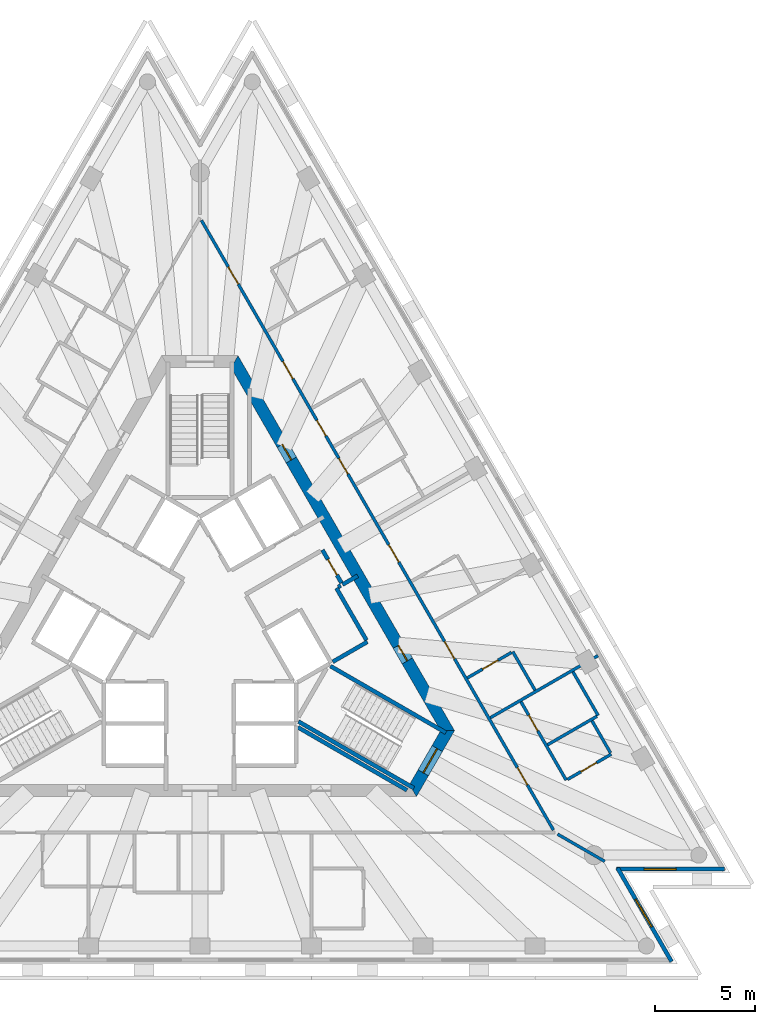
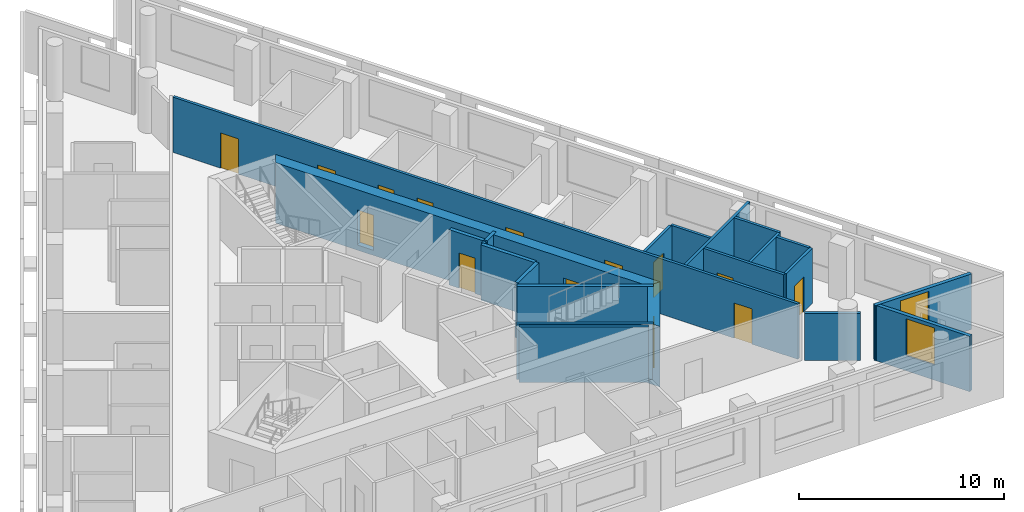
# One storey, part 6 of 10: 22 walls, 14 doors, 2 windows, 16 openings.
"""IFC4 building model written with IfcOpenShell, lengths in metres."""

from ifc_helpers import new_model, si_unit, direction, frame, frame_2d, origin, place, context, subcontext, project, spatial, polyline, rectangle, outline, extrude, material, layer, layer_set, layer_usage, type_object, element, fill, save


model = new_model("IFC4")

# Units and contexts
model_context = context("Model", 3, precision=1e-05, world=origin(), true_north=direction((0.0, 1.0)))
body_context = subcontext(model_context, "Body", "Model", "MODEL_VIEW")
ifc_project = project(units=[si_unit("LENGTHUNIT", "METRE"), si_unit("AREAUNIT", "SQUARE_METRE"), si_unit("VOLUMEUNIT", "CUBIC_METRE"), si_unit("PLANEANGLEUNIT", "RADIAN"), si_unit("MASSUNIT", "GRAM", prefix="KILO")], contexts=[model_context])

# Site, building, storey
site_placement = place(None, origin())
site = spatial("IfcSite", under=ifc_project, at=site_placement, CompositionType="ELEMENT")
building_placement = place(site_placement, origin())
building = spatial("IfcBuilding", under=site, at=building_placement, Name="Triada Interchange Tower", CompositionType="ELEMENT")
storey_placement = place(building_placement, frame((0.0, 0.0, 271.89990234375)))
storey = spatial("IfcBuildingStorey", under=building, at=storey_placement, Name="L63", CompositionType="ELEMENT", Elevation=271.89990234375)

# Wall
ifc_material_1 = material(Name="Concrete C30/37", Category="concrete")
ifc_layer_1 = layer(ifc_material_1, 0.199951171875)
ifc_layer_set_1 = layer_set([ifc_layer_1], Name="CORE WALL 200 EI 120")
wall_type_1 = type_object("IfcWallType", Name="CORE WALL 200 EI 120", PredefinedType="SOLIDWALL", material=ifc_layer_set_1)
wall_1_placement = place(storey_placement, frame((7.12890625, 2.153076171875, 0.0), z_axis=(0.0, 0.0, 1.0), x_axis=(0.866083962871, 0.499898558967, 0.0)))
element("IfcWall", 1, at=wall_1_placement, inside=storey, type_object=wall_type_1, Name="Wall L62 87", PredefinedType="SOLIDWALL", context=body_context, shape_type="SweptSolid", body=[
    extrude(rectangle(XDim=0.880126953125, YDim=0.199951171875, at=frame_2d((0.43994140625, 0.0))), origin(), (0.0, 0.0, 1.0), 3.300048828125),
])

# Wall, opening, door
wall_2_placement = place(storey_placement, frame((6.12890625, 3.885009765625, 0.0), z_axis=(0.0, 0.0, 1.0), x_axis=(0.499952260202, -0.866052964615, 0.0)))
wall_2 = element("IfcWall", 2, at=wall_2_placement, inside=storey, type_object=wall_type_1, Name="Wall L62 88", PredefinedType="SOLIDWALL", context=body_context, shape_type="SweptSolid", body=[
    extrude(rectangle(XDim=1.900634765625, YDim=0.199951171875, at=frame_2d((0.9501953125, 0.0))), origin(), (0.0, 0.0, 1.0), 3.300048828125),
])
opening_1_placement = place(wall_2_placement, frame((0.550048828125, 0.0, 0.0)))
opening_1 = element("IfcOpeningElement", 3, at=opening_1_placement, cuts=wall_2, Name="Opening D62-58", PredefinedType="OPENING", context=body_context, shape_type="SweptSolid", body=[
    extrude(rectangle(XDim=0.89990234375, YDim=2.10009765625, at=frame_2d((0.449951171875, 1.050048828125))), frame((0.0, 0.10986328125, 0.0), z_axis=(0.0, -1.0, 0.0), x_axis=(1.0, 0.0, 0.0)), (0.0, 0.0, 1.0), 0.219970703125),
])
ifc_material_2 = material(Name="Steel S235 door leaf", Category="steel")
door_type_1 = type_object("IfcDoorType", Name="SERVICE DOOR 900 EI2 45-C5S200", OperationType="NOTDEFINED", PredefinedType="DOOR", material=ifc_material_2)
door_1_placement = place(opening_1_placement, origin())
door_1 = element("IfcDoor", 4, at=door_1_placement, inside=storey, type_object=door_type_1, Name="Door D62-58 L63", OperationType="SINGLE_SWING_LEFT", OverallHeight=2.10009765625, OverallWidth=0.89990234375, PredefinedType="DOOR", context=body_context, shape_type="SweptSolid", body=[
    extrude(rectangle(XDim=0.89990234375, YDim=2.10009765625, at=frame_2d((0.449951171875, 1.050048828125))), frame((0.0, 0.02490234375, 0.0), z_axis=(0.0, -1.0, 0.0), x_axis=(1.0, 0.0, 0.0)), (0.0, 0.0, 1.0), 0.050048828125),
])
fill(opening_1, door_1)

# Walls
ifc_layer_2 = layer(ifc_material_1, 0.199951171875)
ifc_layer_set_2 = layer_set([ifc_layer_2], Name="CORE WALL 200 EI 90")
wall_type_2 = type_object("IfcWallType", Name="CORE WALL 200 EI 90", PredefinedType="SOLIDWALL", material=ifc_layer_set_2)
wall_3_placement = place(storey_placement, frame((4.89990234375, -4.97998046875, 0.0), z_axis=(0.0, 0.0, 1.0), x_axis=(0.866074613031, -0.499914757397, 0.0)))
element("IfcWall", 5, at=wall_3_placement, inside=storey, type_object=wall_type_2, Name="Wall L62 108", PredefinedType="SOLIDWALL", context=body_context, shape_type="SweptSolid", body=[
    extrude(rectangle(XDim=6.30078125, YDim=0.199951171875, at=frame_2d((3.150390625, 0.0))), origin(), (0.0, 0.0, 1.0), 3.300048828125),
])
wall_4_placement = place(storey_placement, frame((6.64208984375, -1.7080078125, 0.0), z_axis=(0.0, 0.0, 1.0), x_axis=(0.866043441391, 0.499968756647, 0.0)))
element("IfcWall", 6, at=wall_4_placement, inside=storey, type_object=wall_type_2, Name="Wall L62 109", PredefinedType="SOLIDWALL", context=body_context, shape_type="SweptSolid", body=[
    extrude(rectangle(XDim=2.002197265625, YDim=0.199951171875, at=frame_2d((1.0009765625, 0.0))), origin(), (0.0, 0.0, 1.0), 3.300048828125),
])
wall_5_placement = place(storey_placement, frame((6.825927734375, 1.97802734375, 0.0), z_axis=(0.0, 0.0, 1.0), x_axis=(0.499990139034, -0.866031096941, 0.0)))
element("IfcWall", 7, at=wall_5_placement, inside=storey, type_object=wall_type_2, Name="Wall L62 110", PredefinedType="SOLIDWALL", context=body_context, shape_type="SweptSolid", body=[
    extrude(rectangle(XDim=3.0, YDim=0.199951171875, at=frame_2d((1.5, 0.0))), origin(), (0.0, 0.0, 1.0), 3.300048828125),
])
wall_6_placement = place(storey_placement, frame((6.912109375, 2.028076171875, 0.0), z_axis=(0.0, 0.0, 1.0), x_axis=(0.866559367082, 0.499074005857, 0.0)))
element("IfcWall", 8, at=wall_6_placement, inside=storey, type_object=wall_type_2, Name="Wall L62 111", PredefinedType="SOLIDWALL", context=body_context, shape_type="SweptSolid", body=[
    extrude(rectangle(XDim=0.152099609375, YDim=0.199951171875, at=frame_2d((0.076171875, 0.0))), origin(), (0.0, 0.0, 1.0), 3.300048828125),
])
ifc_layer_3 = layer(ifc_material_1, 0.199951171875)
ifc_layer_set_3 = layer_set([ifc_layer_3], Name="CORE WALL 200 REI 240")
wall_type_3 = type_object("IfcWallType", Name="CORE WALL 200 REI 240", PredefinedType="SOLIDWALL", material=ifc_layer_set_3)
wall_7_placement = place(storey_placement, frame((4.928955078125, -4.693115234375, 0.0), z_axis=(0.0, 0.0, 1.0), x_axis=(0.866005022404, -0.500035299925, 0.0)))
element("IfcWall", 9, at=wall_7_placement, inside=storey, type_object=wall_type_3, Name="Wall L62 118", PredefinedType="SOLIDWALL", context=body_context, shape_type="SweptSolid", body=[
    extrude(rectangle(XDim=6.6650390625, YDim=0.199951171875, at=frame_2d((3.33251953125, 0.0))), origin(), (0.0, 0.0, 1.0), 3.300048828125),
])
wall_8_placement = place(storey_placement, frame((6.529052734375, -1.922119140625, 0.0), z_axis=(0.0, 0.0, 1.0), x_axis=(0.866068467981, -0.499925403204, 0.0)))
element("IfcWall", 10, at=wall_8_placement, inside=storey, type_object=wall_type_3, Name="Wall L62 120", PredefinedType="SOLIDWALL", context=body_context, shape_type="SweptSolid", body=[
    extrude(rectangle(XDim=6.66455078125, YDim=0.199951171875, at=frame_2d((3.332275390625, 0.0))), origin(), (0.0, 0.0, 1.0), 3.300048828125),
])

# Wall, opening, door
ifc_material_3 = material(Name="Concrete C40/50", Category="concrete")
ifc_layer_4 = layer(ifc_material_3, 0.60009765625)
ifc_layer_set_4 = layer_set([ifc_layer_4], Name="Core wall D 600")
wall_type_4 = type_object("IfcWallType", Name="Core wall D 600", PredefinedType="SHEAR", material=ifc_layer_set_4)
wall_9_placement = place(storey_placement, frame((10.652099609375, -8.14990234375, -0.2998046875), z_axis=(0.0, 0.0, 1.0), x_axis=(0.49997462182, 0.866040055388, 0.0)))
wall_9 = element("IfcWall", 11, at=wall_9_placement, inside=storey, type_object=wall_type_4, Name="Core wall WD05 L63", PredefinedType="SHEAR", context=body_context, shape_type="SweptSolid", body=[
    extrude(outline(polyline([(-0.173095703125, -0.300048828125), (1.732421875, -0.300537109375), (3.637939453125, -0.301025390625), (3.291015625, 0.300048828125), (1.73193359375, 0.300048828125), (0.173095703125, 0.300048828125), (-0.173095703125, -0.300048828125)])), origin(), (0.0, 0.0, 1.0), 3.599853515625),
])
opening_2_placement = place(wall_9_placement, frame((1.031982421875, 0.0, 0.300048828125)))
opening_2 = element("IfcOpeningElement", 12, at=opening_2_placement, cuts=wall_9, Name="Opening D62-50", PredefinedType="OPENING", context=body_context, shape_type="SweptSolid", body=[
    extrude(rectangle(XDim=1.39990234375, YDim=2.10009765625, at=frame_2d((0.699951171875, 1.050048828125))), frame((0.0, 0.31005859375, 0.0), z_axis=(0.0, -1.0, 0.0), x_axis=(1.0, 0.0, 0.0)), (0.0, 0.0, 1.0), 0.62109375),
])
door_type_2 = type_object("IfcDoorType", Name="STAIR DOOR 1400 EI2 90-C5S200", OperationType="DOUBLE_DOOR_SINGLE_SWING", PredefinedType="DOOR", material=ifc_material_2)
door_2_placement = place(opening_2_placement, origin())
door_2 = element("IfcDoor", 13, at=door_2_placement, inside=storey, type_object=door_type_2, Name="Door D62-50 L63", OperationType="DOUBLE_DOOR_SINGLE_SWING", OverallHeight=2.10009765625, OverallWidth=1.39990234375, PredefinedType="DOOR", context=body_context, shape_type="SweptSolid", body=[
    extrude(rectangle(XDim=1.39990234375, YDim=2.10009765625, at=frame_2d((0.699951171875, 1.050048828125))), frame((0.0, 0.02490234375, 0.0), z_axis=(0.0, -1.0, 0.0), x_axis=(1.0, 0.0, 0.0)), (0.0, 0.0, 1.0), 0.050048828125),
])
fill(opening_2, door_2)

# Wall, openings, doors
wall_10_placement = place(storey_placement, frame((12.384033203125, -5.14990234375, -0.2998046875), z_axis=(0.0, 0.0, 1.0), x_axis=(-0.500000539815, 0.866025092122, 0.0)))
wall_10 = element("IfcWall", 14, at=wall_10_placement, inside=storey, type_object=wall_type_4, Name="Core wall WD06 L63", PredefinedType="SHEAR", context=body_context, shape_type="SweptSolid", body=[
    extrude(outline(polyline([(-0.173095703125, -0.301025390625), (1.795166015625, -0.301025390625), (3.76318359375, -0.30078125), (5.7314453125, -0.30078125), (7.69970703125, -0.30078125), (9.66796875, -0.300537109375), (11.635986328125, -0.300537109375), (13.604248046875, -0.30029296875), (15.572509765625, -0.30029296875), (17.540771484375, -0.30029296875), (19.5087890625, -0.300048828125), (21.47705078125, -0.300048828125), (21.131103515625, 0.300048828125), (19.225830078125, 0.300048828125), (17.320556640625, 0.300048828125), (15.415283203125, 0.300048828125), (13.510009765625, 0.300048828125), (11.604736328125, 0.300048828125), (9.699462890625, 0.300048828125), (7.794189453125, 0.300048828125), (5.888916015625, 0.300048828125), (3.983642578125, 0.300048828125), (2.078369140625, 0.300048828125), (0.173095703125, 0.300048828125), (-0.173095703125, -0.301025390625)])), origin(), (0.0, 0.0, 1.0), 3.599853515625),
])
opening_3_placement = place(wall_10_placement, frame((15.626953125, 0.0, 0.300048828125)))
opening_3 = element("IfcOpeningElement", 15, at=opening_3_placement, cuts=wall_10, Name="Opening D62-55", PredefinedType="OPENING", context=body_context, shape_type="SweptSolid", body=[
    extrude(rectangle(XDim=0.89990234375, YDim=2.10009765625, at=frame_2d((0.449951171875, 1.050048828125))), frame((0.0, 0.31005859375, 0.0), z_axis=(0.0, -1.0, 0.0), x_axis=(1.0, 0.0, 0.0)), (0.0, 0.0, 1.0), 0.62109375),
])
opening_4_placement = place(wall_10_placement, frame((4.02587890625, 0.0, 0.300048828125)))
opening_4 = element("IfcOpeningElement", 16, at=opening_4_placement, cuts=wall_10, Name="Opening D62-57", PredefinedType="OPENING", context=body_context, shape_type="SweptSolid", body=[
    extrude(rectangle(XDim=0.89990234375, YDim=2.10009765625, at=frame_2d((0.449951171875, 1.050048828125))), frame((0.0, 0.31005859375, 0.0), z_axis=(0.0, -1.0, 0.0), x_axis=(1.0, 0.0, 0.0)), (0.0, 0.0, 1.0), 0.62109375),
])
door_type_3 = type_object("IfcDoorType", Name="RISER ACCESS DOOR 900 EI2 45-C5S200", OperationType="NOTDEFINED", PredefinedType="DOOR", material=ifc_material_2)
door_3_placement = place(opening_3_placement, origin())
door_3 = element("IfcDoor", 17, at=door_3_placement, inside=storey, type_object=door_type_3, Name="Door D62-55 L63", OperationType="SINGLE_SWING_RIGHT", OverallHeight=2.10009765625, OverallWidth=0.89990234375, PredefinedType="DOOR", context=body_context, shape_type="SweptSolid", body=[
    extrude(rectangle(XDim=0.89990234375, YDim=2.10009765625, at=frame_2d((0.449951171875, 1.050048828125))), frame((0.0, 0.02490234375, 0.0), z_axis=(0.0, -1.0, 0.0), x_axis=(1.0, 0.0, 0.0)), (0.0, 0.0, 1.0), 0.050048828125),
])
fill(opening_3, door_3)
door_4_placement = place(opening_4_placement, origin())
door_4 = element("IfcDoor", 18, at=door_4_placement, inside=storey, type_object=door_type_1, Name="Door D62-57 L63", OperationType="SINGLE_SWING_RIGHT", OverallHeight=2.10009765625, OverallWidth=0.89990234375, PredefinedType="DOOR", context=body_context, shape_type="SweptSolid", body=[
    extrude(rectangle(XDim=0.89990234375, YDim=2.10009765625, at=frame_2d((0.449951171875, 1.050048828125))), frame((0.0, 0.02490234375, 0.0), z_axis=(0.0, -1.0, 0.0), x_axis=(1.0, 0.0, 0.0)), (0.0, 0.0, 1.0), 0.050048828125),
])
fill(opening_4, door_4)

# Wall, opening, window
ifc_material_4 = material(Name="Cement board")
ifc_layer_5 = layer(ifc_material_4, 0.02001953125, Name="Cement board cladding")
ifc_material_5 = material(Name="Sheathing board")
ifc_layer_6 = layer(ifc_material_5, 0.014892578125, Name="Sheathing board")
ifc_material_6 = material(Name="Mineral wool")
ifc_layer_7 = layer(ifc_material_6, 0.14990234375, Name="Mineral wool between steel studs")
ifc_material_7 = material(Name="Gypsum board")
ifc_layer_8 = layer(ifc_material_7, 0.014892578125, Name="Plasterboard lining")
ifc_layer_set_5 = layer_set([ifc_layer_5, ifc_layer_6, ifc_layer_7, ifc_layer_8], Name="External wall 200")
ifc_layer_usage = layer_usage(ifc_layer_set_5, "AXIS2", "POSITIVE", -0.10009765625)
wall_type_5 = type_object("IfcWallType", Name="External wall 200", PredefinedType="ELEMENTEDWALL", material=ifc_layer_set_5)
wall_11_placement = place(storey_placement, frame((23.583984375, -16.695068359375, 0.0), z_axis=(0.0, 0.0, 1.0), x_axis=(-0.499972735707, 0.866041144259, 0.0)))
wall_11 = element("IfcWall", 19, at=wall_11_placement, inside=storey, type_object=wall_type_5, material=ifc_layer_usage, Name="External wall L63 SE-1", PredefinedType="ELEMENTEDWALL", context=body_context, shape_type="SweptSolid", body=[
    extrude(rectangle(XDim=5.404052734375, YDim=0.199951171875, at=frame_2d((2.7021484375, 0.0))), origin(), (0.0, 0.0, 1.0), 3.300048828125),
])
opening_5_placement = place(wall_11_placement, frame((1.989990234375, 0.0, 0.89990234375)))
opening_5 = element("IfcOpeningElement", 20, at=opening_5_placement, cuts=wall_11, Name="Opening WD19", PredefinedType="OPENING", context=body_context, shape_type="SweptSolid", body=[
    extrude(rectangle(XDim=1.60009765625, YDim=2.199951171875, at=frame_2d((0.800048828125, 1.10009765625))), frame((0.0, 0.10986328125, 0.0), z_axis=(0.0, -1.0, 0.0), x_axis=(1.0, 0.0, 0.0)), (0.0, 0.0, 1.0), 0.219970703125),
])
ifc_material_8 = material(Name="Double glazed aluminium window", Category="aluminium")
window_type = type_object("IfcWindowType", Name="Ribbon window D pocket", PartitioningType="SINGLE_PANEL", PredefinedType="WINDOW", material=ifc_material_8)
window_1_placement = place(opening_5_placement, origin())
window_1 = element("IfcWindow", 21, at=window_1_placement, inside=storey, type_object=window_type, Name="Window L63 SE-1 1", OverallHeight=2.199951171875, OverallWidth=1.60009765625, PartitioningType="SINGLE_PANEL", PredefinedType="WINDOW", context=body_context, shape_type="SweptSolid", body=[
    extrude(rectangle(XDim=1.60009765625, YDim=2.199951171875, at=frame_2d((0.800048828125, 1.10009765625))), frame((0.0, 0.030029296875, 0.0), z_axis=(0.0, -1.0, 0.0), x_axis=(1.0, 0.0, 0.0)), (0.0, 0.0, 1.0), 0.06005859375),
])
fill(opening_5, window_1)

wall_12_placement = place(storey_placement, frame((20.826904296875, -12.075927734375, 0.0), z_axis=(0.0, 0.0, 1.0), x_axis=(1.0, 0.0, 0.0)))
wall_12 = element("IfcWall", 22, at=wall_12_placement, inside=storey, type_object=wall_type_5, material=ifc_layer_usage, Name="External wall L63 SE-2", PredefinedType="ELEMENTEDWALL", context=body_context, shape_type="SweptSolid", body=[
    extrude(rectangle(XDim=5.403076171875, YDim=0.199951171875, at=frame_2d((2.70166015625, 0.0))), origin(), (0.0, 0.0, 1.0), 3.300048828125),
])
opening_6_placement = place(wall_12_placement, frame((1.389892578125, 0.0, 0.89990234375)))
opening_6 = element("IfcOpeningElement", 23, at=opening_6_placement, cuts=wall_12, Name="Opening WD20", PredefinedType="OPENING", context=body_context, shape_type="SweptSolid", body=[
    extrude(rectangle(XDim=1.60009765625, YDim=2.199951171875, at=frame_2d((0.800048828125, 1.10009765625))), frame((0.0, 0.10986328125, 0.0), z_axis=(0.0, -1.0, 0.0), x_axis=(1.0, 0.0, 0.0)), (0.0, 0.0, 1.0), 0.219970703125),
])
window_2_placement = place(opening_6_placement, origin())
window_2 = element("IfcWindow", 24, at=window_2_placement, inside=storey, type_object=window_type, Name="Window L63 SE-2 1", OverallHeight=2.199951171875, OverallWidth=1.60009765625, PartitioningType="SINGLE_PANEL", PredefinedType="WINDOW", context=body_context, shape_type="SweptSolid", body=[
    extrude(rectangle(XDim=1.60009765625, YDim=2.199951171875, at=frame_2d((0.800048828125, 1.10009765625))), frame((0.0, 0.030029296875, 0.0), z_axis=(0.0, -1.0, 0.0), x_axis=(1.0, 0.0, 0.0)), (0.0, 0.0, 1.0), 0.06005859375),
])
fill(opening_6, window_2)

# Wall
ifc_material_9 = material(Name="Gypsum board partition")
ifc_layer_9 = layer(ifc_material_9, 0.14990234375)
ifc_layer_set_6 = layer_set([ifc_layer_9], Name="PARTITION 150 EI 180")
wall_type_6 = type_object("IfcWallType", Name="PARTITION 150 EI 180", PredefinedType="PARTITIONING", material=ifc_layer_set_6)
wall_13_placement = place(storey_placement, frame((17.883056640625, -10.323974609375, 0.0), z_axis=(0.0, 0.0, 1.0), x_axis=(0.865910811146, -0.500198427768, 0.0)))
element("IfcWall", 25, at=wall_13_placement, inside=storey, type_object=wall_type_6, Name="Wall L62 8", PredefinedType="PARTITIONING", context=body_context, shape_type="SweptSolid", body=[
    extrude(rectangle(XDim=2.72314453125, YDim=0.14990234375, at=frame_2d((1.361572265625, 0.0))), origin(), (0.0, 0.0, 1.0), 2.800048828125),
])

# Wall, openings, doors
wall_14_placement = place(storey_placement, frame((0.074951171875, 20.3701171875, 0.0), z_axis=(0.0, 0.0, 1.0), x_axis=(0.499988971979, -0.866031770721, 0.0)))
wall_14 = element("IfcWall", 26, at=wall_14_placement, inside=storey, type_object=wall_type_6, Name="Wall L62 22", PredefinedType="PARTITIONING", context=body_context, shape_type="SweptSolid", body=[
    extrude(rectangle(XDim=35.206787109375, YDim=0.14990234375, at=frame_2d((17.603515625, 0.0))), origin(), (0.0, 0.0, 1.0), 3.300048828125),
])
opening_7_placement = place(wall_14_placement, frame((31.60595703125, 0.0, 0.0)))
opening_7 = element("IfcOpeningElement", 27, at=opening_7_placement, cuts=wall_14, Name="Opening D62-21", PredefinedType="OPENING", context=body_context, shape_type="SweptSolid", body=[
    extrude(rectangle(XDim=1.0, YDim=2.10009765625, at=frame_2d((0.5, 1.050048828125))), frame((0.0, 0.0849609375, 0.0), z_axis=(0.0, -1.0, 0.0), x_axis=(1.0, 0.0, 0.0)), (0.0, 0.0, 1.0), 0.169921875),
])
opening_8_placement = place(wall_14_placement, frame((24.31591796875, 0.0, 0.0)))
opening_8 = element("IfcOpeningElement", 28, at=opening_8_placement, cuts=wall_14, Name="Opening D62-24", PredefinedType="OPENING", context=body_context, shape_type="SweptSolid", body=[
    extrude(rectangle(XDim=1.0, YDim=2.10009765625, at=frame_2d((0.5, 1.050048828125))), frame((0.0, 0.0849609375, 0.0), z_axis=(0.0, -1.0, 0.0), x_axis=(1.0, 0.0, 0.0)), (0.0, 0.0, 1.0), 0.169921875),
])
opening_9_placement = place(wall_14_placement, frame((18.735107421875, 0.0, 0.0)))
opening_9 = element("IfcOpeningElement", 29, at=opening_9_placement, cuts=wall_14, Name="Opening D62-26", PredefinedType="OPENING", context=body_context, shape_type="SweptSolid", body=[
    extrude(rectangle(XDim=1.0, YDim=2.10009765625, at=frame_2d((0.5, 1.050048828125))), frame((0.0, 0.0849609375, 0.0), z_axis=(0.0, -1.0, 0.0), x_axis=(1.0, 0.0, 0.0)), (0.0, 0.0, 1.0), 0.169921875),
])
opening_10_placement = place(wall_14_placement, frame((8.154052734375, 0.0, 0.0)))
opening_10 = element("IfcOpeningElement", 30, at=opening_10_placement, cuts=wall_14, Name="Opening D62-28", PredefinedType="OPENING", context=body_context, shape_type="SweptSolid", body=[
    extrude(rectangle(XDim=1.0, YDim=2.10009765625, at=frame_2d((0.5, 1.050048828125))), frame((0.0, 0.0849609375, 0.0), z_axis=(0.0, -1.0, 0.0), x_axis=(1.0, 0.0, 0.0)), (0.0, 0.0, 1.0), 0.169921875),
])
opening_11_placement = place(wall_14_placement, frame((13.75390625, 0.0, 0.0)))
opening_11 = element("IfcOpeningElement", 31, at=opening_11_placement, cuts=wall_14, Name="Opening D62-30", PredefinedType="OPENING", context=body_context, shape_type="SweptSolid", body=[
    extrude(rectangle(XDim=0.89990234375, YDim=2.10009765625, at=frame_2d((0.449951171875, 1.050048828125))), frame((0.0, 0.0849609375, 0.0), z_axis=(0.0, -1.0, 0.0), x_axis=(1.0, 0.0, 0.0)), (0.0, 0.0, 1.0), 0.169921875),
])
opening_12_placement = place(wall_14_placement, frame((11.553955078125, 0.0, 0.0)))
opening_12 = element("IfcOpeningElement", 32, at=opening_12_placement, cuts=wall_14, Name="Opening D62-31", PredefinedType="OPENING", context=body_context, shape_type="SweptSolid", body=[
    extrude(rectangle(XDim=0.89990234375, YDim=2.10009765625, at=frame_2d((0.449951171875, 1.050048828125))), frame((0.0, 0.0849609375, 0.0), z_axis=(0.0, -1.0, 0.0), x_axis=(1.0, 0.0, 0.0)), (0.0, 0.0, 1.0), 0.169921875),
])
opening_13_placement = place(wall_14_placement, frame((2.68994140625, 0.0, 0.0)))
opening_13 = element("IfcOpeningElement", 33, at=opening_13_placement, cuts=wall_14, Name="Opening D62-32", PredefinedType="OPENING", context=body_context, shape_type="SweptSolid", body=[
    extrude(rectangle(XDim=1.0, YDim=2.10009765625, at=frame_2d((0.5, 1.050048828125))), frame((0.0, 0.0849609375, 0.0), z_axis=(0.0, -1.0, 0.0), x_axis=(1.0, 0.0, 0.0)), (0.0, 0.0, 1.0), 0.169921875),
])
door_type_4 = type_object("IfcDoorType", Name="GUEST ROOM DOOR 1000 EI2 90-C5S200", OperationType="NOTDEFINED", PredefinedType="DOOR", material=ifc_material_2)
door_5_placement = place(opening_7_placement, origin())
door_5 = element("IfcDoor", 34, at=door_5_placement, inside=storey, type_object=door_type_4, Name="Door D62-21 L63", OperationType="SINGLE_SWING_RIGHT", OverallHeight=2.10009765625, OverallWidth=1.0, PredefinedType="DOOR", context=body_context, shape_type="SweptSolid", body=[
    extrude(rectangle(XDim=1.0, YDim=2.10009765625, at=frame_2d((0.5, 1.050048828125))), frame((0.0, 0.02490234375, 0.0), z_axis=(0.0, -1.0, 0.0), x_axis=(1.0, 0.0, 0.0)), (0.0, 0.0, 1.0), 0.050048828125),
])
fill(opening_7, door_5)
door_6_placement = place(opening_8_placement, origin())
door_6 = element("IfcDoor", 35, at=door_6_placement, inside=storey, type_object=door_type_4, Name="Door D62-24 L63", OperationType="SINGLE_SWING_RIGHT", OverallHeight=2.10009765625, OverallWidth=1.0, PredefinedType="DOOR", context=body_context, shape_type="SweptSolid", body=[
    extrude(rectangle(XDim=1.0, YDim=2.10009765625, at=frame_2d((0.5, 1.050048828125))), frame((0.0, 0.02490234375, 0.0), z_axis=(0.0, -1.0, 0.0), x_axis=(1.0, 0.0, 0.0)), (0.0, 0.0, 1.0), 0.050048828125),
])
fill(opening_8, door_6)
door_7_placement = place(opening_9_placement, origin())
door_7 = element("IfcDoor", 36, at=door_7_placement, inside=storey, type_object=door_type_4, Name="Door D62-26 L63", OperationType="SINGLE_SWING_RIGHT", OverallHeight=2.10009765625, OverallWidth=1.0, PredefinedType="DOOR", context=body_context, shape_type="SweptSolid", body=[
    extrude(rectangle(XDim=1.0, YDim=2.10009765625, at=frame_2d((0.5, 1.050048828125))), frame((0.0, 0.02490234375, 0.0), z_axis=(0.0, -1.0, 0.0), x_axis=(1.0, 0.0, 0.0)), (0.0, 0.0, 1.0), 0.050048828125),
])
fill(opening_9, door_7)
door_8_placement = place(opening_10_placement, origin())
door_8 = element("IfcDoor", 37, at=door_8_placement, inside=storey, type_object=door_type_4, Name="Door D62-28 L63", OperationType="SINGLE_SWING_RIGHT", OverallHeight=2.10009765625, OverallWidth=1.0, PredefinedType="DOOR", context=body_context, shape_type="SweptSolid", body=[
    extrude(rectangle(XDim=1.0, YDim=2.10009765625, at=frame_2d((0.5, 1.050048828125))), frame((0.0, 0.02490234375, 0.0), z_axis=(0.0, -1.0, 0.0), x_axis=(1.0, 0.0, 0.0)), (0.0, 0.0, 1.0), 0.050048828125),
])
fill(opening_10, door_8)
door_9_placement = place(opening_13_placement, origin())
door_9 = element("IfcDoor", 38, at=door_9_placement, inside=storey, type_object=door_type_4, Name="Door D62-32 L63", OperationType="SINGLE_SWING_LEFT", OverallHeight=2.10009765625, OverallWidth=1.0, PredefinedType="DOOR", context=body_context, shape_type="SweptSolid", body=[
    extrude(rectangle(XDim=1.0, YDim=2.10009765625, at=frame_2d((0.5, 1.050048828125))), frame((0.0, 0.02490234375, 0.0), z_axis=(0.0, -1.0, 0.0), x_axis=(1.0, 0.0, 0.0)), (0.0, 0.0, 1.0), 0.050048828125),
])
fill(opening_13, door_9)
door_type_5 = type_object("IfcDoorType", Name="ROOM DOOR 900 EI2 90-C5S200", OperationType="NOTDEFINED", PredefinedType="DOOR", material=ifc_material_2)
door_10_placement = place(opening_12_placement, origin())
door_10 = element("IfcDoor", 39, at=door_10_placement, inside=storey, type_object=door_type_5, Name="Door D62-31 L63", OperationType="SINGLE_SWING_LEFT", OverallHeight=2.10009765625, OverallWidth=0.89990234375, PredefinedType="DOOR", context=body_context, shape_type="SweptSolid", body=[
    extrude(rectangle(XDim=0.89990234375, YDim=2.10009765625, at=frame_2d((0.449951171875, 1.050048828125))), frame((0.0, 0.02490234375, 0.0), z_axis=(0.0, -1.0, 0.0), x_axis=(1.0, 0.0, 0.0)), (0.0, 0.0, 1.0), 0.050048828125),
])
fill(opening_12, door_10)
door_type_6 = type_object("IfcDoorType", Name="SERVICE DOOR 900 EI2 90-C5S200", OperationType="NOTDEFINED", PredefinedType="DOOR", material=ifc_material_2)
door_11_placement = place(opening_11_placement, origin())
door_11 = element("IfcDoor", 40, at=door_11_placement, inside=storey, type_object=door_type_6, Name="Door D62-30 L63", OperationType="SINGLE_SWING_RIGHT", OverallHeight=2.10009765625, OverallWidth=0.89990234375, PredefinedType="DOOR", context=body_context, shape_type="SweptSolid", body=[
    extrude(rectangle(XDim=0.89990234375, YDim=2.10009765625, at=frame_2d((0.449951171875, 1.050048828125))), frame((0.0, 0.02490234375, 0.0), z_axis=(0.0, -1.0, 0.0), x_axis=(1.0, 0.0, 0.0)), (0.0, 0.0, 1.0), 0.050048828125),
])
fill(opening_11, door_11)

# Walls
wall_15_placement = place(storey_placement, frame((14.52294921875, -4.5048828125, 0.0), z_axis=(0.0, 0.0, 1.0), x_axis=(0.866043575568, 0.499968524226, 0.0)))
element("IfcWall", 41, at=wall_15_placement, inside=storey, type_object=wall_type_6, Name="Wall L62 30", PredefinedType="PARTITIONING", context=body_context, shape_type="SweptSolid", body=[
    extrude(rectangle(XDim=6.21240234375, YDim=0.14990234375, at=frame_2d((3.106201171875, 0.0))), origin(), (0.0, 0.0, 1.0), 3.300048828125),
])
ifc_layer_10 = layer(ifc_material_9, 0.14990234375)
ifc_layer_set_7 = layer_set([ifc_layer_10], Name="PARTITION 150 EI 90")
wall_type_7 = type_object("IfcWallType", Name="PARTITION 150 EI 90", PredefinedType="PARTITIONING", material=ifc_layer_set_7)
wall_16_placement = place(storey_placement, frame((18.653076171875, -2.20703125, 0.0), z_axis=(0.0, 0.0, 1.0), x_axis=(0.499789415832, -0.866146950478, 0.0)))
element("IfcWall", 42, at=wall_16_placement, inside=storey, type_object=wall_type_7, Name="Wall L62 53", PredefinedType="PARTITIONING", context=body_context, shape_type="SweptSolid", body=[
    extrude(rectangle(XDim=2.52490234375, YDim=0.14990234375, at=frame_2d((1.262451171875, 0.0))), origin(), (0.0, 0.0, 1.0), 3.300048828125),
])

# Wall, opening, door
wall_17_placement = place(storey_placement, frame((16.054931640625, -3.70703125, 0.0), z_axis=(0.0, 0.0, 1.0), x_axis=(0.499893710643, -0.866086761277, 0.0)))
wall_17 = element("IfcWall", 43, at=wall_17_placement, inside=storey, type_object=wall_type_7, Name="Wall L62 56", PredefinedType="PARTITIONING", context=body_context, shape_type="SweptSolid", body=[
    extrude(rectangle(XDim=4.52490234375, YDim=0.14990234375, at=frame_2d((2.262451171875, 0.0))), origin(), (0.0, 0.0, 1.0), 3.300048828125),
])
opening_14_placement = place(wall_17_placement, frame((0.77490234375, 0.0, 0.0)))
opening_14 = element("IfcOpeningElement", 44, at=opening_14_placement, cuts=wall_17, Name="Opening D62-22", PredefinedType="OPENING", context=body_context, shape_type="SweptSolid", body=[
    extrude(rectangle(XDim=0.89990234375, YDim=2.10009765625, at=frame_2d((0.449951171875, 1.050048828125))), frame((0.0, 0.0849609375, 0.0), z_axis=(0.0, -1.0, 0.0), x_axis=(1.0, 0.0, 0.0)), (0.0, 0.0, 1.0), 0.169921875),
])
door_type_7 = type_object("IfcDoorType", Name="ROOM DOOR 900 EI2 45-C5S200", OperationType="NOTDEFINED", PredefinedType="DOOR", material=ifc_material_2)
door_12_placement = place(opening_14_placement, origin())
door_12 = element("IfcDoor", 45, at=door_12_placement, inside=storey, type_object=door_type_7, Name="Door D62-22 L63", OperationType="SINGLE_SWING_LEFT", OverallHeight=2.10009765625, OverallWidth=0.89990234375, PredefinedType="DOOR", context=body_context, shape_type="SweptSolid", body=[
    extrude(rectangle(XDim=0.89990234375, YDim=2.10009765625, at=frame_2d((0.449951171875, 1.050048828125))), frame((0.0, 0.02490234375, 0.0), z_axis=(0.0, -1.0, 0.0), x_axis=(1.0, 0.0, 0.0)), (0.0, 0.0, 1.0), 0.050048828125),
])
fill(opening_14, door_12)

# Wall
wall_18_placement = place(storey_placement, frame((15.64697265625, -1.200927734375, 0.0), z_axis=(0.0, 0.0, 1.0), x_axis=(0.499833278392, -0.866121639155, 0.0)))
element("IfcWall", 46, at=wall_18_placement, inside=storey, type_object=wall_type_7, Name="Wall L62 60", PredefinedType="PARTITIONING", context=body_context, shape_type="SweptSolid", body=[
    extrude(rectangle(XDim=2.224853515625, YDim=0.14990234375, at=frame_2d((1.1123046875, 0.0))), origin(), (0.0, 0.0, 1.0), 3.300048828125),
])

# Wall, opening, door
wall_19_placement = place(storey_placement, frame((13.373046875, -2.512939453125, 0.0), z_axis=(0.0, 0.0, 1.0), x_axis=(0.866102706185, 0.499866084405, 0.0)))
wall_19 = element("IfcWall", 47, at=wall_19_placement, inside=storey, type_object=wall_type_7, Name="Wall L62 62", PredefinedType="PARTITIONING", context=body_context, shape_type="SweptSolid", body=[
    extrude(rectangle(XDim=2.550537109375, YDim=0.14990234375, at=frame_2d((1.275390625, 0.0))), origin(), (0.0, 0.0, 1.0), 3.300048828125),
])
opening_15_placement = place(wall_19_placement, frame((0.875, 0.0, 0.0)))
opening_15 = element("IfcOpeningElement", 48, at=opening_15_placement, cuts=wall_19, Name="Opening D62-25", PredefinedType="OPENING", context=body_context, shape_type="SweptSolid", body=[
    extrude(rectangle(XDim=0.89990234375, YDim=2.10009765625, at=frame_2d((0.449951171875, 1.050048828125))), frame((0.0, 0.0849609375, 0.0), z_axis=(0.0, -1.0, 0.0), x_axis=(1.0, 0.0, 0.0)), (0.0, 0.0, 1.0), 0.169921875),
])
door_13_placement = place(opening_15_placement, origin())
door_13 = element("IfcDoor", 49, at=door_13_placement, inside=storey, type_object=door_type_7, Name="Door D62-25 L63", OperationType="SINGLE_SWING_RIGHT", OverallHeight=2.10009765625, OverallWidth=0.89990234375, PredefinedType="DOOR", context=body_context, shape_type="SweptSolid", body=[
    extrude(rectangle(XDim=0.89990234375, YDim=2.10009765625, at=frame_2d((0.449951171875, 1.050048828125))), frame((0.0, 0.02490234375, 0.0), z_axis=(0.0, -1.0, 0.0), x_axis=(1.0, 0.0, 0.0)), (0.0, 0.0, 1.0), 0.050048828125),
])
fill(opening_15, door_13)

# Wall
wall_20_placement = place(storey_placement, frame((17.382080078125, -5.85693359375, 0.0), z_axis=(0.0, 0.0, 1.0), x_axis=(0.866004402611, 0.500036373335, 0.0)))
element("IfcWall", 50, at=wall_20_placement, inside=storey, type_object=wall_type_7, Name="Wall L62 63", PredefinedType="PARTITIONING", context=body_context, shape_type="SweptSolid", body=[
    extrude(rectangle(XDim=2.849853515625, YDim=0.14990234375, at=frame_2d((1.4248046875, 0.0))), origin(), (0.0, 0.0, 1.0), 3.300048828125),
])

# Wall, opening, door
wall_21_placement = place(storey_placement, frame((18.382080078125, -7.589111328125, 0.0), z_axis=(0.0, 0.0, 1.0), x_axis=(0.86593764446, 0.500151972811, 0.0)))
wall_21 = element("IfcWall", 51, at=wall_21_placement, inside=storey, type_object=wall_type_7, Name="Wall L62 64", PredefinedType="PARTITIONING", context=body_context, shape_type="SweptSolid", body=[
    extrude(rectangle(XDim=2.525634765625, YDim=0.14990234375, at=frame_2d((1.2626953125, 0.0))), origin(), (0.0, 0.0, 1.0), 3.300048828125),
])
opening_16_placement = place(wall_21_placement, frame((0.77490234375, 0.0, 0.0)))
opening_16 = element("IfcOpeningElement", 52, at=opening_16_placement, cuts=wall_21, Name="Opening D62-23", PredefinedType="OPENING", context=body_context, shape_type="SweptSolid", body=[
    extrude(rectangle(XDim=0.89990234375, YDim=2.10009765625, at=frame_2d((0.449951171875, 1.050048828125))), frame((0.0, 0.0849609375, 0.0), z_axis=(0.0, -1.0, 0.0), x_axis=(1.0, 0.0, 0.0)), (0.0, 0.0, 1.0), 0.169921875),
])
door_14_placement = place(opening_16_placement, origin())
door_14 = element("IfcDoor", 53, at=door_14_placement, inside=storey, type_object=door_type_1, Name="Door D62-23 L63", OperationType="SINGLE_SWING_LEFT", OverallHeight=2.10009765625, OverallWidth=0.89990234375, PredefinedType="DOOR", context=body_context, shape_type="SweptSolid", body=[
    extrude(rectangle(XDim=0.89990234375, YDim=2.10009765625, at=frame_2d((0.449951171875, 1.050048828125))), frame((0.0, 0.02490234375, 0.0), z_axis=(0.0, -1.0, 0.0), x_axis=(1.0, 0.0, 0.0)), (0.0, 0.0, 1.0), 0.050048828125),
])
fill(opening_16, door_14)

# Wall
wall_22_placement = place(storey_placement, frame((19.60595703125, -4.658935546875, 0.0), z_axis=(0.0, 0.0, 1.0), x_axis=(0.500042316284, -0.866000971088, 0.0)))
element("IfcWall", 54, at=wall_22_placement, inside=storey, type_object=wall_type_7, Name="Wall L62 65", PredefinedType="PARTITIONING", context=body_context, shape_type="SweptSolid", body=[
    extrude(rectangle(XDim=1.849853515625, YDim=0.14990234375, at=frame_2d((0.9248046875, 0.0))), origin(), (0.0, 0.0, 1.0), 3.300048828125),
])

save(model, "model.ifc")
